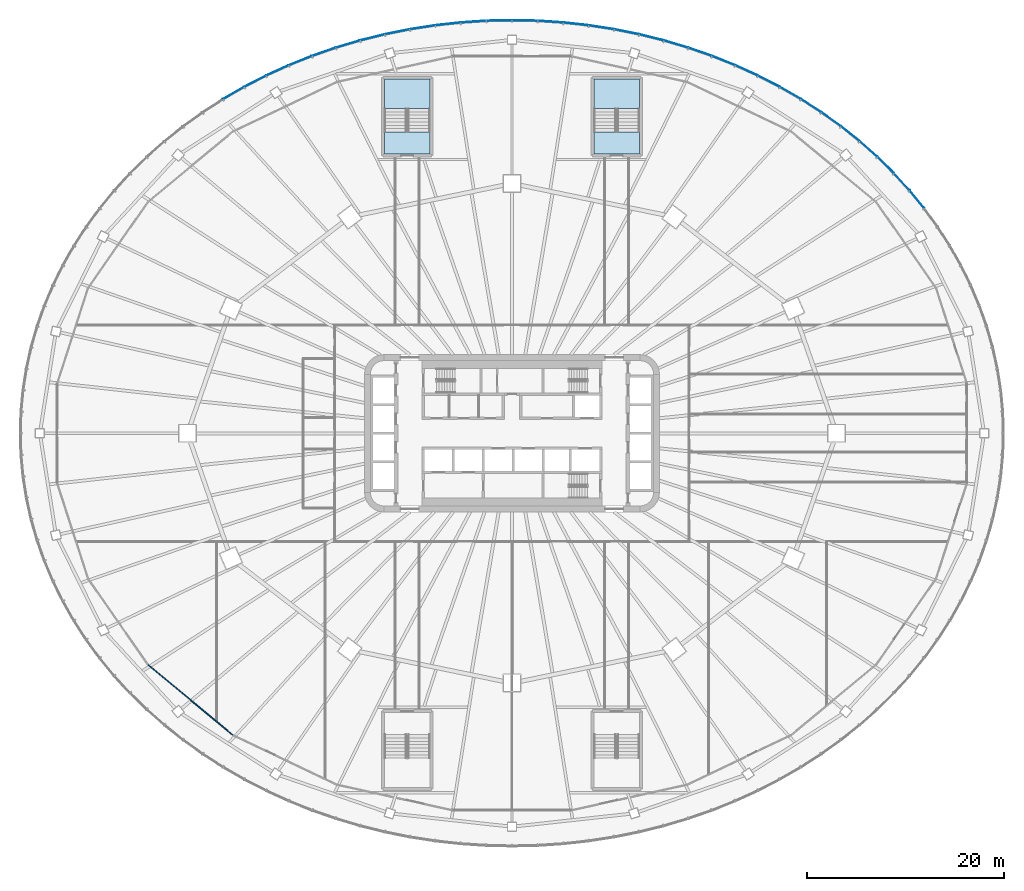
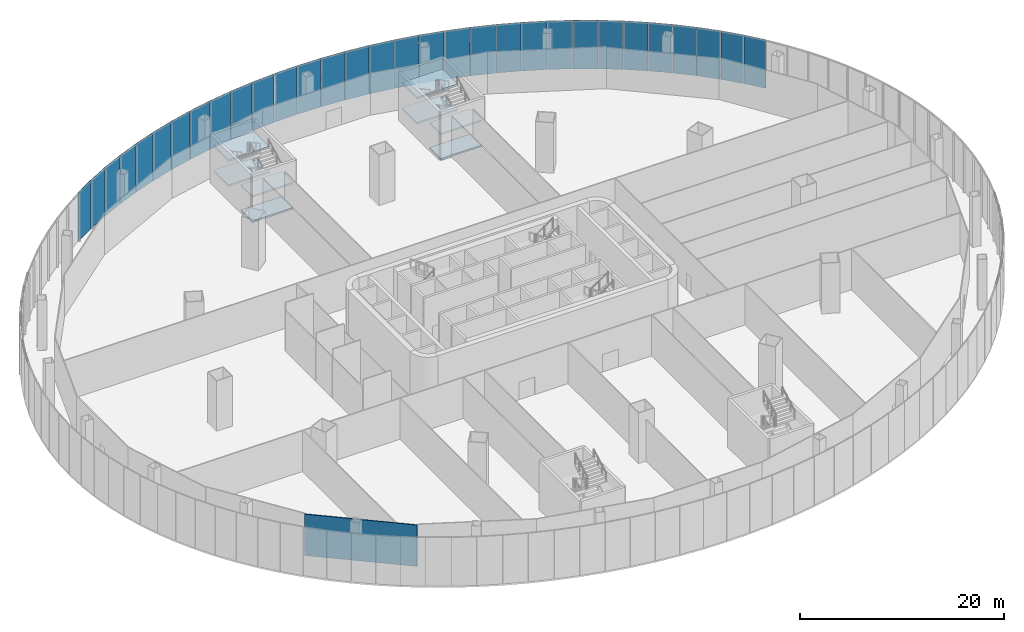
# One storey, part 19 of 37: 31 plates, 8 slabs, 1 wall, 9 elements without a shape of their own.
"""IFC4 building model written with IfcOpenShell, lengths in metres."""

from ifc_helpers import new_model, si_unit, direction, frame, frame_2d, origin, place, context, subcontext, project, spatial, polyline, rectangle, outline, extrude, material, layer, layer_set, type_object, element, aggregate, save


model = new_model("IFC4")

# Units and contexts
model_context = context("Model", 3, precision=1e-05, world=origin(), true_north=direction((0.0, 1.0)))
body_context = subcontext(model_context, "Body", "Model", "MODEL_VIEW")
ifc_project = project(units=[si_unit("LENGTHUNIT", "METRE"), si_unit("AREAUNIT", "SQUARE_METRE"), si_unit("VOLUMEUNIT", "CUBIC_METRE"), si_unit("PLANEANGLEUNIT", "RADIAN"), si_unit("MASSUNIT", "GRAM", prefix="KILO")], contexts=[model_context])

# Site, building, storey
site_placement = place(None, origin())
site = spatial("IfcSite", under=ifc_project, at=site_placement, CompositionType="ELEMENT")
building_placement = place(site_placement, origin())
building = spatial("IfcBuilding", under=site, at=building_placement, Name="Sahrelin Media Tower", CompositionType="ELEMENT")
storey_placement = place(building_placement, frame((0.0, 0.0, 31.39990234375)))
storey = spatial("IfcBuildingStorey", under=building, at=storey_placement, Name="L04", CompositionType="ELEMENT", Elevation=31.39990234375)

# Curtain wall, plates
ifc_material_1 = material(Name="Champagne anodised aluminium 6063-T6", Category="aluminium")
ifc_layer_1 = layer(ifc_material_1, 0.14990234375)
ifc_layer_set_1 = layer_set([ifc_layer_1], Name="Podium ribbon curtain wall")
curtain_wall_type = type_object("IfcCurtainWallType", Name="Podium ribbon curtain wall", PredefinedType="NOTDEFINED", material=ifc_layer_set_1)
curtain_wall_1_placement = place(storey_placement, frame((43.30126953125, 21.0, 0.0), z_axis=(0.0, 0.0, 1.0), x_axis=(1.0, 0.0, 0.0)))
curtain_wall_1 = element("IfcCurtainWall", 1, at=curtain_wall_1_placement, inside=storey, type_object=curtain_wall_type, Name="L04:CW:L04-P02", PredefinedType="NOTDEFINED")
ifc_material_2 = material(Name="Clear low-iron glazing", Category="glass")
ifc_layer_2 = layer(ifc_material_2, 0.050048828125)
ifc_layer_set_2 = layer_set([ifc_layer_2], Name="Glazing panel 50 mm CW5")
plate_type = type_object("IfcPlateType", Name="Glazing panel 50 mm CW5", PredefinedType="CURTAIN_PANEL", material=ifc_layer_set_2)
plate_1_placement = place(storey_placement, frame((41.917236328125, 22.92626953125, 0.0), z_axis=(0.773971540698, 0.633220383586, 0.0), x_axis=(-0.633220383586, 0.773971540698, 0.0)))
plate_1 = element("IfcPlate", 2, at=plate_1_placement, type_object=plate_type, Name="L04:CWP2a:L04-P02", PredefinedType="CURTAIN_PANEL", context=body_context, shape_type="SweptSolid", body=[
    extrude(outline(polyline([(0.0, 0.0), (2.291259765625, 0.0), (2.291259765625, 5.800048828125), (0.0, 5.800048828125), (0.0, 0.0)])), origin(), (0.0, 0.0, -1.0), 0.050048828125),
])
plate_2_placement = place(storey_placement, frame((40.431884765625, 24.7373046875, 0.0), z_axis=(0.738366649953, 0.674399503438, 0.0), x_axis=(-0.674399503438, 0.738366649953, 0.0)))
plate_2 = element("IfcPlate", 3, at=plate_2_placement, type_object=plate_type, Name="L04:CWP3a:L04-P02", PredefinedType="CURTAIN_PANEL", context=body_context, shape_type="SweptSolid", body=[
    extrude(outline(polyline([(0.0, 0.0), (2.31298828125, 0.0), (2.31298828125, 5.800048828125), (0.0, 5.800048828125), (0.0, 0.0)])), origin(), (0.0, 0.0, -1.0), 0.050048828125),
])
plate_3_placement = place(storey_placement, frame((38.835693359375, 26.480712890625, 0.0), z_axis=(0.701226778189, 0.712938290142, 0.0), x_axis=(-0.712938290142, 0.701226778189, 0.0)))
plate_3 = element("IfcPlate", 4, at=plate_3_placement, type_object=plate_type, Name="L04:CWP4a:L04-P02", PredefinedType="CURTAIN_PANEL", context=body_context, shape_type="SweptSolid", body=[
    extrude(outline(polyline([(0.0, 0.0), (2.334716796875, 0.0), (2.334716796875, 5.800048828125), (0.0, 5.800048828125), (0.0, 0.0)])), origin(), (0.0, 0.0, -1.0), 0.050048828125),
])
plate_4_placement = place(storey_placement, frame((37.133056640625, 28.151611328125, 0.0), z_axis=(0.662799646717, 0.74879678706, 0.0), x_axis=(-0.74879678706, 0.662799646717, 0.0)))
plate_4 = element("IfcPlate", 5, at=plate_4_placement, type_object=plate_type, Name="L04:CWP5a:L04-P02", PredefinedType="CURTAIN_PANEL", context=body_context, shape_type="SweptSolid", body=[
    extrude(outline(polyline([(0.0, 0.0), (2.356201171875, 0.0), (2.356201171875, 5.800048828125), (0.0, 5.800048828125), (0.0, 0.0)])), origin(), (0.0, 0.0, -1.0), 0.050048828125),
])
aggregate(curtain_wall_1, [plate_1, plate_2, plate_3, plate_4])

curtain_wall_2_placement = place(storey_placement, frame((35.355224609375, 29.698486328125, 0.0), z_axis=(0.0, 0.0, 1.0), x_axis=(1.0, 0.0, 0.0)))
curtain_wall_2 = element("IfcCurtainWall", 6, at=curtain_wall_2_placement, inside=storey, type_object=curtain_wall_type, Name="L04:CW:L04-P03", PredefinedType="NOTDEFINED")
plate_5_placement = place(storey_placement, frame((35.32861328125, 29.745361328125, 0.0), z_axis=(0.62334202437, 0.781949308238, 0.0), x_axis=(-0.781949308238, 0.62334202437, 0.0)))
plate_5 = element("IfcPlate", 7, at=plate_5_placement, type_object=plate_type, Name="L04:CWP1a:L04-P03", PredefinedType="CURTAIN_PANEL", context=body_context, shape_type="SweptSolid", body=[
    extrude(outline(polyline([(0.0, 0.0), (2.378173828125, 0.0), (2.378173828125, 5.800048828125), (0.0, 5.800048828125), (0.0, 0.0)])), origin(), (0.0, 0.0, -1.0), 0.050048828125),
])
plate_6_placement = place(storey_placement, frame((33.427490234375, 31.257568359375, 0.0), z_axis=(0.582969203384, 0.812494250999, 0.0), x_axis=(-0.812494250999, 0.582969203384, 0.0)))
plate_6 = element("IfcPlate", 8, at=plate_6_placement, type_object=plate_type, Name="L04:CWP2a:L04-P03", PredefinedType="CURTAIN_PANEL", context=body_context, shape_type="SweptSolid", body=[
    extrude(outline(polyline([(0.0, 0.0), (2.399658203125, 0.0), (2.399658203125, 5.800048828125), (0.0, 5.800048828125), (0.0, 0.0)])), origin(), (0.0, 0.0, -1.0), 0.050048828125),
])
plate_7_placement = place(storey_placement, frame((31.434814453125, 32.68408203125, 0.0), z_axis=(0.541786842033, 0.840515923585, 0.0), x_axis=(-0.840515923585, 0.541786842033, 0.0)))
plate_7 = element("IfcPlate", 9, at=plate_7_placement, type_object=plate_type, Name="L04:CWP3a:L04-P03", PredefinedType="CURTAIN_PANEL", context=body_context, shape_type="SweptSolid", body=[
    extrude(outline(polyline([(0.0, 0.0), (2.420654296875, 0.0), (2.420654296875, 5.800048828125), (0.0, 5.800048828125), (0.0, 0.0)])), origin(), (0.0, 0.0, -1.0), 0.050048828125),
])
plate_8_placement = place(storey_placement, frame((29.35595703125, 34.02099609375, 0.0), z_axis=(0.499979298005, 0.866037355757, 0.0), x_axis=(-0.866037355757, 0.499979298005, 0.0)))
plate_8 = element("IfcPlate", 10, at=plate_8_placement, type_object=plate_type, Name="L04:CWP4a:L04-P03", PredefinedType="CURTAIN_PANEL", context=body_context, shape_type="SweptSolid", body=[
    extrude(outline(polyline([(0.0, 0.0), (2.44091796875, 0.0), (2.44091796875, 5.800048828125), (0.0, 5.800048828125), (0.0, 0.0)])), origin(), (0.0, 0.0, -1.0), 0.050048828125),
])
plate_9_placement = place(storey_placement, frame((27.19677734375, 35.264892578125, 0.0), z_axis=(0.457661890487, 0.88912630936, 0.0), x_axis=(-0.88912630936, 0.457661890487, 0.0)))
plate_9 = element("IfcPlate", 11, at=plate_9_placement, type_object=plate_type, Name="L04:CWP5a:L04-P03", PredefinedType="CURTAIN_PANEL", context=body_context, shape_type="SweptSolid", body=[
    extrude(outline(polyline([(0.0, 0.0), (2.460205078125, 0.0), (2.460205078125, 5.800048828125), (0.0, 5.800048828125), (0.0, 0.0)])), origin(), (0.0, 0.0, -1.0), 0.050048828125),
])
aggregate(curtain_wall_2, [plate_5, plate_6, plate_7, plate_8, plate_9])

curtain_wall_3_placement = place(storey_placement, frame((25.0, 36.373046875, 0.0), z_axis=(0.0, 0.0, 1.0), x_axis=(1.0, 0.0, 0.0)))
curtain_wall_3 = element("IfcCurtainWall", 12, at=curtain_wall_3_placement, inside=storey, type_object=curtain_wall_type, Name="L04:CW:L04-P04", PredefinedType="NOTDEFINED")
plate_10_placement = place(storey_placement, frame((24.962890625, 36.412109375, 0.0), z_axis=(0.414893598906, 0.909869936632, 0.0), x_axis=(-0.909869936632, 0.414893598906, 0.0)))
plate_10 = element("IfcPlate", 13, at=plate_10_placement, type_object=plate_type, Name="L04:CWP1a:L04-P04", PredefinedType="CURTAIN_PANEL", context=body_context, shape_type="SweptSolid", body=[
    extrude(outline(polyline([(0.0, 0.0), (2.478515625, 0.0), (2.478515625, 5.800048828125), (0.0, 5.800048828125), (0.0, 0.0)])), origin(), (0.0, 0.0, -1.0), 0.050048828125),
])
plate_11_placement = place(storey_placement, frame((22.660400390625, 37.45947265625, 0.0), z_axis=(0.371913588766, 0.928267355071, 0.0), x_axis=(-0.928267355071, 0.371913588766, 0.0)))
plate_11 = element("IfcPlate", 14, at=plate_11_placement, type_object=plate_type, Name="L04:CWP2a:L04-P04", PredefinedType="CURTAIN_PANEL", context=body_context, shape_type="SweptSolid", body=[
    extrude(outline(polyline([(0.0, 0.0), (2.4951171875, 0.0), (2.4951171875, 5.800048828125), (0.0, 5.800048828125), (0.0, 0.0)])), origin(), (0.0, 0.0, -1.0), 0.050048828125),
])
plate_12_placement = place(storey_placement, frame((20.296142578125, 38.404296875, 0.0), z_axis=(0.328599832248, 0.944469242615, 0.0), x_axis=(-0.944469242615, 0.328599832248, 0.0)))
plate_12 = element("IfcPlate", 15, at=plate_12_placement, type_object=plate_type, Name="L04:CWP3a:L04-P04", PredefinedType="CURTAIN_PANEL", context=body_context, shape_type="SweptSolid", body=[
    extrude(outline(polyline([(0.0, 0.0), (2.510498046875, 0.0), (2.510498046875, 5.800048828125), (0.0, 5.800048828125), (0.0, 0.0)])), origin(), (0.0, 0.0, -1.0), 0.050048828125),
])
plate_13_placement = place(storey_placement, frame((17.876220703125, 39.243896484375, 0.0), z_axis=(0.285102349758, 0.958497078849, 0.0), x_axis=(-0.958497078849, 0.285102349758, 0.0)))
plate_13 = element("IfcPlate", 16, at=plate_13_placement, type_object=plate_type, Name="L04:CWP4a:L04-P04", PredefinedType="CURTAIN_PANEL", context=body_context, shape_type="SweptSolid", body=[
    extrude(outline(polyline([(0.0, 0.0), (2.5244140625, 0.0), (2.5244140625, 5.800048828125), (0.0, 5.800048828125), (0.0, 0.0)])), origin(), (0.0, 0.0, -1.0), 0.050048828125),
])
plate_14_placement = place(storey_placement, frame((15.406982421875, 39.975830078125, 0.0), z_axis=(0.241516267963, 0.970396770558, 0.0), x_axis=(-0.970396770558, 0.241516267963, 0.0)))
plate_14 = element("IfcPlate", 17, at=plate_14_placement, type_object=plate_type, Name="L04:CWP5a:L04-P04", PredefinedType="CURTAIN_PANEL", context=body_context, shape_type="SweptSolid", body=[
    extrude(outline(polyline([(0.0, 0.0), (2.536376953125, 0.0), (2.536376953125, 5.800048828125), (0.0, 5.800048828125), (0.0, 0.0)])), origin(), (0.0, 0.0, -1.0), 0.050048828125),
])
aggregate(curtain_wall_3, [plate_10, plate_11, plate_12, plate_13, plate_14])

curtain_wall_4_placement = place(storey_placement, frame((12.94091796875, 40.56884765625, 0.0), z_axis=(0.0, 0.0, 1.0), x_axis=(1.0, 0.0, 0.0)))
curtain_wall_4 = element("IfcCurtainWall", 18, at=curtain_wall_4_placement, inside=storey, type_object=curtain_wall_type, Name="L04:CW:L04-P05", PredefinedType="NOTDEFINED")
plate_15_placement = place(storey_placement, frame((12.89599609375, 40.598388671875, 0.0), z_axis=(0.197682982877, 0.980266003838, 0.0), x_axis=(-0.980266003838, 0.197682982877, 0.0)))
plate_15 = element("IfcPlate", 19, at=plate_15_placement, type_object=plate_type, Name="L04:CWP1a:L04-P05", PredefinedType="CURTAIN_PANEL", context=body_context, shape_type="SweptSolid", body=[
    extrude(outline(polyline([(0.0, 0.0), (2.546630859375, 0.0), (2.546630859375, 5.800048828125), (0.0, 5.800048828125), (0.0, 0.0)])), origin(), (0.0, 0.0, -1.0), 0.050048828125),
])
plate_16_placement = place(storey_placement, frame((10.349365234375, 41.109619140625, 0.0), z_axis=(0.153837616307, 0.988096142999, 0.0), x_axis=(-0.988096142999, 0.153837616307, 0.0)))
plate_16 = element("IfcPlate", 20, at=plate_16_placement, type_object=plate_type, Name="L04:CWP2a:L04-P05", PredefinedType="CURTAIN_PANEL", context=body_context, shape_type="SweptSolid", body=[
    extrude(outline(polyline([(0.0, 0.0), (2.55517578125, 0.0), (2.55517578125, 5.800048828125), (0.0, 5.800048828125), (0.0, 0.0)])), origin(), (0.0, 0.0, -1.0), 0.050048828125),
])
plate_17_placement = place(storey_placement, frame((7.774169921875, 41.50830078125, 0.0), z_axis=(0.109908392122, 0.9939417213, 0.0), x_axis=(-0.9939417213, 0.109908392122, 0.0)))
plate_17 = element("IfcPlate", 21, at=plate_17_placement, type_object=plate_type, Name="L04:CWP3a:L04-P05", PredefinedType="CURTAIN_PANEL", context=body_context, shape_type="SweptSolid", body=[
    extrude(outline(polyline([(0.0, 0.0), (2.561279296875, 0.0), (2.561279296875, 5.800048828125), (0.0, 5.800048828125), (0.0, 0.0)])), origin(), (0.0, 0.0, -1.0), 0.050048828125),
])
plate_18_placement = place(storey_placement, frame((5.177734375, 41.793212890625, 0.0), z_axis=(0.065956789275, 0.997822480178, 0.0), x_axis=(-0.997822480178, 0.065956789275, 0.0)))
plate_18 = element("IfcPlate", 22, at=plate_18_placement, type_object=plate_type, Name="L04:CWP4a:L04-P05", PredefinedType="CURTAIN_PANEL", context=body_context, shape_type="SweptSolid", body=[
    extrude(outline(polyline([(0.0, 0.0), (2.565185546875, 0.0), (2.565185546875, 5.800048828125), (0.0, 5.800048828125), (0.0, 0.0)])), origin(), (0.0, 0.0, -1.0), 0.050048828125),
])
plate_19_placement = place(storey_placement, frame((2.5673828125, 41.96337890625, 0.0), z_axis=(0.022060447041, 0.999756638726, 0.0), x_axis=(-0.999756638726, 0.022060447041, 0.0)))
plate_19 = element("IfcPlate", 23, at=plate_19_placement, type_object=plate_type, Name="L04:CWP5a:L04-P05", PredefinedType="CURTAIN_PANEL", context=body_context, shape_type="SweptSolid", body=[
    extrude(outline(polyline([(0.0, 0.0), (2.567626953125, 0.0), (2.567626953125, 5.800048828125), (0.0, 5.800048828125), (0.0, 0.0)])), origin(), (0.0, 0.0, -1.0), 0.050048828125),
])
aggregate(curtain_wall_4, [plate_15, plate_16, plate_17, plate_18, plate_19])

curtain_wall_5_placement = place(storey_placement, frame((0.0, 42.0, 0.0), z_axis=(0.0, 0.0, 1.0), x_axis=(1.0, 0.0, 0.0)))
curtain_wall_5 = element("IfcCurtainWall", 24, at=curtain_wall_5_placement, inside=storey, type_object=curtain_wall_type, Name="L04:CW:L04-P06", PredefinedType="NOTDEFINED")
plate_20_placement = place(storey_placement, frame((-0.05029296875, 42.018798828125, 0.0), z_axis=(-0.021965404884, 0.999758731389, 0.0), x_axis=(-0.999758731389, -0.021965404884, 0.0)))
plate_20 = element("IfcPlate", 25, at=plate_20_placement, type_object=plate_type, Name="L04:CWP1a:L04-P06", PredefinedType="CURTAIN_PANEL", context=body_context, shape_type="SweptSolid", body=[
    extrude(outline(polyline([(0.0, 0.0), (2.567626953125, 0.0), (2.567626953125, 5.800048828125), (0.0, 5.800048828125), (0.0, 0.0)])), origin(), (0.0, 0.0, -1.0), 0.050048828125),
])
plate_21_placement = place(storey_placement, frame((-2.66796875, 41.958984375, 0.0), z_axis=(-0.065950526052, 0.997822894162, 0.0), x_axis=(-0.997822894162, -0.065950526052, 0.0)))
plate_21 = element("IfcPlate", 26, at=plate_21_placement, type_object=plate_type, Name="L04:CWP2a:L04-P06", PredefinedType="CURTAIN_PANEL", context=body_context, shape_type="SweptSolid", body=[
    extrude(outline(polyline([(0.0, 0.0), (2.5654296875, 0.0), (2.5654296875, 5.800048828125), (0.0, 5.800048828125), (0.0, 0.0)])), origin(), (0.0, 0.0, -1.0), 0.050048828125),
])
plate_22_placement = place(storey_placement, frame((-5.2783203125, 41.7841796875, 0.0), z_axis=(-0.109908392122, 0.9939417213, 0.0), x_axis=(-0.9939417213, -0.109908392122, 0.0)))
plate_22 = element("IfcPlate", 27, at=plate_22_placement, type_object=plate_type, Name="L04:CWP3a:L04-P06", PredefinedType="CURTAIN_PANEL", context=body_context, shape_type="SweptSolid", body=[
    extrude(outline(polyline([(0.0, 0.0), (2.561279296875, 0.0), (2.561279296875, 5.800048828125), (0.0, 5.800048828125), (0.0, 0.0)])), origin(), (0.0, 0.0, -1.0), 0.050048828125),
])
plate_23_placement = place(storey_placement, frame((-7.874267578125, 41.4951171875, 0.0), z_axis=(-0.153852142069, 0.98809388136, 0.0), x_axis=(-0.98809388136, -0.153852142069, 0.0)))
plate_23 = element("IfcPlate", 28, at=plate_23_placement, type_object=plate_type, Name="L04:CWP4a:L04-P06", PredefinedType="CURTAIN_PANEL", context=body_context, shape_type="SweptSolid", body=[
    extrude(outline(polyline([(0.0, 0.0), (2.554931640625, 0.0), (2.554931640625, 5.800048828125), (0.0, 5.800048828125), (0.0, 0.0)])), origin(), (0.0, 0.0, -1.0), 0.050048828125),
])
plate_24_placement = place(storey_placement, frame((-10.448486328125, 41.091796875, 0.0), z_axis=(-0.197664406805, 0.980269749754, 0.0), x_axis=(-0.980269749754, -0.197664406805, 0.0)))
plate_24 = element("IfcPlate", 29, at=plate_24_placement, type_object=plate_type, Name="L04:CWP5a:L04-P06", PredefinedType="CURTAIN_PANEL", context=body_context, shape_type="SweptSolid", body=[
    extrude(outline(polyline([(0.0, 0.0), (2.546875, 0.0), (2.546875, 5.800048828125), (0.0, 5.800048828125), (0.0, 0.0)])), origin(), (0.0, 0.0, -1.0), 0.050048828125),
])
aggregate(curtain_wall_5, [plate_20, plate_21, plate_22, plate_23, plate_24])

curtain_wall_6_placement = place(storey_placement, frame((-12.94091796875, 40.56884765625, 0.0), z_axis=(0.0, 0.0, 1.0), x_axis=(1.0, 0.0, 0.0)))
curtain_wall_6 = element("IfcCurtainWall", 30, at=curtain_wall_6_placement, inside=storey, type_object=curtain_wall_type, Name="L04:CW:L04-P07", PredefinedType="NOTDEFINED")
plate_25_placement = place(storey_placement, frame((-12.994384765625, 40.576171875, 0.0), z_axis=(-0.241425619685, 0.970419326971, 0.0), x_axis=(-0.970419326971, -0.241425619685, 0.0)))
plate_25 = element("IfcPlate", 31, at=plate_25_placement, type_object=plate_type, Name="L04:CWP1a:L04-P07", PredefinedType="CURTAIN_PANEL", context=body_context, shape_type="SweptSolid", body=[
    extrude(outline(polyline([(0.0, 0.0), (2.5361328125, 0.0), (2.5361328125, 5.800048828125), (0.0, 5.800048828125), (0.0, 0.0)])), origin(), (0.0, 0.0, -1.0), 0.050048828125),
])
plate_26_placement = place(storey_placement, frame((-15.50439453125, 39.94921875, 0.0), z_axis=(-0.285102349758, 0.958497078849, 0.0), x_axis=(-0.958497078849, -0.285102349758, 0.0)))
plate_26 = element("IfcPlate", 32, at=plate_26_placement, type_object=plate_type, Name="L04:CWP2a:L04-P07", PredefinedType="CURTAIN_PANEL", context=body_context, shape_type="SweptSolid", body=[
    extrude(outline(polyline([(0.0, 0.0), (2.5244140625, 0.0), (2.5244140625, 5.800048828125), (0.0, 5.800048828125), (0.0, 0.0)])), origin(), (0.0, 0.0, -1.0), 0.050048828125),
])
plate_27_placement = place(storey_placement, frame((-17.97216796875, 39.212890625, 0.0), z_axis=(-0.328656390674, 0.944449562904, 0.0), x_axis=(-0.944449562904, -0.328656390674, 0.0)))
plate_27 = element("IfcPlate", 33, at=plate_27_placement, type_object=plate_type, Name="L04:CWP3a:L04-P07", PredefinedType="CURTAIN_PANEL", context=body_context, shape_type="SweptSolid", body=[
    extrude(outline(polyline([(0.0, 0.0), (2.5107421875, 0.0), (2.5107421875, 5.800048828125), (0.0, 5.800048828125), (0.0, 0.0)])), origin(), (0.0, 0.0, -1.0), 0.050048828125),
])
plate_28_placement = place(storey_placement, frame((-20.390625, 38.368896484375, 0.0), z_axis=(-0.371913588766, 0.928267355071, 0.0), x_axis=(-0.928267355071, -0.371913588766, 0.0)))
plate_28 = element("IfcPlate", 34, at=plate_28_placement, type_object=plate_type, Name="L04:CWP4a:L04-P07", PredefinedType="CURTAIN_PANEL", context=body_context, shape_type="SweptSolid", body=[
    extrude(outline(polyline([(0.0, 0.0), (2.4951171875, 0.0), (2.4951171875, 5.800048828125), (0.0, 5.800048828125), (0.0, 0.0)])), origin(), (0.0, 0.0, -1.0), 0.050048828125),
])
plate_29_placement = place(storey_placement, frame((-22.75341796875, 37.419677734375, 0.0), z_axis=(-0.414930786604, 0.909852978413, 0.0), x_axis=(-0.909852978413, -0.414930786604, 0.0)))
plate_29 = element("IfcPlate", 35, at=plate_29_placement, type_object=plate_type, Name="L04:CWP5a:L04-P07", PredefinedType="CURTAIN_PANEL", context=body_context, shape_type="SweptSolid", body=[
    extrude(outline(polyline([(0.0, 0.0), (2.478271484375, 0.0), (2.478271484375, 5.800048828125), (0.0, 5.800048828125), (0.0, 0.0)])), origin(), (0.0, 0.0, -1.0), 0.050048828125),
])
aggregate(curtain_wall_6, [plate_25, plate_26, plate_27, plate_28, plate_29])

curtain_wall_7_placement = place(storey_placement, frame((-25.0, 36.373046875, 0.0), z_axis=(0.0, 0.0, 1.0), x_axis=(1.0, 0.0, 0.0)))
curtain_wall_7 = element("IfcCurtainWall", 36, at=curtain_wall_7_placement, inside=storey, type_object=curtain_wall_type, Name="L04:CW:L04-P08", PredefinedType="NOTDEFINED")
plate_30_placement = place(storey_placement, frame((-25.0537109375, 36.367919921875, 0.0), z_axis=(-0.457661890487, 0.88912630936, 0.0), x_axis=(-0.88912630936, -0.457661890487, 0.0)))
plate_30 = element("IfcPlate", 37, at=plate_30_placement, type_object=plate_type, Name="L04:CWP1a:L04-P08", PredefinedType="CURTAIN_PANEL", context=body_context, shape_type="SweptSolid", body=[
    extrude(outline(polyline([(0.0, 0.0), (2.460205078125, 0.0), (2.460205078125, 5.800048828125), (0.0, 5.800048828125), (0.0, 0.0)])), origin(), (0.0, 0.0, -1.0), 0.050048828125),
])
plate_31_placement = place(storey_placement, frame((-27.285400390625, 35.216552734375, 0.0), z_axis=(-0.499979298005, 0.866037355757, 0.0), x_axis=(-0.866037355757, -0.499979298005, 0.0)))
plate_31 = element("IfcPlate", 38, at=plate_31_placement, type_object=plate_type, Name="L04:CWP2a:L04-P08", PredefinedType="CURTAIN_PANEL", context=body_context, shape_type="SweptSolid", body=[
    extrude(outline(polyline([(0.0, 0.0), (2.44091796875, 0.0), (2.44091796875, 5.800048828125), (0.0, 5.800048828125), (0.0, 0.0)])), origin(), (0.0, 0.0, -1.0), 0.050048828125),
])
aggregate(curtain_wall_7, [plate_30, plate_31])

# Stair, slabs
ifc_material_3 = material(Name="Concrete C40/50", Category="concrete")
stair_type = type_object("IfcStairType", Name="Podium stair 2225", PredefinedType="HALF_TURN_STAIR", material=ifc_material_3)
placement_1 = place(storey_placement, origin())
stair_1 = element("IfcStair", 39, at=placement_1, inside=storey, type_object=stair_type, Name="L04 Podium stair PS1", PredefinedType="HALF_TURN_STAIR")
ifc_layer_3 = layer(ifc_material_3, 0.199951171875)
ifc_layer_set_3 = layer_set([ifc_layer_3], Name="Stair landing 200")
slab_type = type_object("IfcSlabType", Name="Stair landing 200", PredefinedType="LANDING", material=ifc_layer_set_3)
placement_2 = place(storey_placement, frame((0.0, 0.0, 1.300048828125)))
slab_1 = element("IfcSlab", 40, at=placement_2, type_object=slab_type, Name="PS1 landing 1", PredefinedType="LANDING", context=body_context, shape_type="SweptSolid", body=[
    extrude(outline(polyline([(12.949951171875, 33.02490234375), (12.949951171875, 36.0), (8.35009765625, 36.0), (8.35009765625, 33.02490234375), (12.949951171875, 33.02490234375)])), origin(), (0.0, 0.0, 1.0), 0.199951171875),
])
placement_3 = place(storey_placement, frame((0.0, 0.0, 2.800048828125)))
slab_2 = element("IfcSlab", 41, at=placement_3, type_object=slab_type, Name="PS1 landing 2", PredefinedType="LANDING", context=body_context, shape_type="SweptSolid", body=[
    extrude(outline(polyline([(12.949951171875, 28.39990234375), (12.949951171875, 30.625), (8.35009765625, 30.625), (8.35009765625, 28.39990234375), (12.949951171875, 28.39990234375)])), origin(), (0.0, 0.0, 1.0), 0.199951171875),
])
placement_4 = place(storey_placement, frame((0.0, 0.0, 4.300048828125)))
slab_3 = element("IfcSlab", 42, at=placement_4, type_object=slab_type, Name="PS1 landing 3", PredefinedType="LANDING", context=body_context, shape_type="SweptSolid", body=[
    extrude(outline(polyline([(12.949951171875, 33.02490234375), (12.949951171875, 36.0), (8.35009765625, 36.0), (8.35009765625, 33.02490234375), (12.949951171875, 33.02490234375)])), origin(), (0.0, 0.0, 1.0), 0.199951171875),
])
placement_5 = place(storey_placement, frame((0.0, 0.0, -0.199951171875)))
slab_4 = element("IfcSlab", 43, at=placement_5, type_object=slab_type, Name="PS1 landing 4", PredefinedType="LANDING", context=body_context, shape_type="SweptSolid", body=[
    extrude(outline(polyline([(12.949951171875, 28.39990234375), (12.949951171875, 30.625), (8.35009765625, 30.625), (8.35009765625, 28.39990234375), (12.949951171875, 28.39990234375)])), origin(), (0.0, 0.0, 1.0), 0.199951171875),
])
aggregate(stair_1, [slab_1, slab_2, slab_3, slab_4])

stair_2 = element("IfcStair", 44, at=placement_1, inside=storey, type_object=stair_type, Name="L04 Podium stair PS2", PredefinedType="HALF_TURN_STAIR")
slab_5 = element("IfcSlab", 45, at=placement_2, type_object=slab_type, Name="PS2 landing 1", PredefinedType="LANDING", context=body_context, shape_type="SweptSolid", body=[
    extrude(outline(polyline([(-8.35009765625, 33.02490234375), (-8.35009765625, 36.0), (-12.949951171875, 36.0), (-12.949951171875, 33.02490234375), (-8.35009765625, 33.02490234375)])), origin(), (0.0, 0.0, 1.0), 0.199951171875),
])
slab_6 = element("IfcSlab", 46, at=placement_3, type_object=slab_type, Name="PS2 landing 2", PredefinedType="LANDING", context=body_context, shape_type="SweptSolid", body=[
    extrude(outline(polyline([(-8.35009765625, 28.39990234375), (-8.35009765625, 30.625), (-12.949951171875, 30.625), (-12.949951171875, 28.39990234375), (-8.35009765625, 28.39990234375)])), origin(), (0.0, 0.0, 1.0), 0.199951171875),
])
slab_7 = element("IfcSlab", 47, at=placement_4, type_object=slab_type, Name="PS2 landing 3", PredefinedType="LANDING", context=body_context, shape_type="SweptSolid", body=[
    extrude(outline(polyline([(-8.35009765625, 33.02490234375), (-8.35009765625, 36.0), (-12.949951171875, 36.0), (-12.949951171875, 33.02490234375), (-8.35009765625, 33.02490234375)])), origin(), (0.0, 0.0, 1.0), 0.199951171875),
])
slab_8 = element("IfcSlab", 48, at=placement_5, type_object=slab_type, Name="PS2 landing 4", PredefinedType="LANDING", context=body_context, shape_type="SweptSolid", body=[
    extrude(outline(polyline([(-8.35009765625, 28.39990234375), (-8.35009765625, 30.625), (-12.949951171875, 30.625), (-12.949951171875, 28.39990234375), (-8.35009765625, 28.39990234375)])), origin(), (0.0, 0.0, 1.0), 0.199951171875),
])
aggregate(stair_2, [slab_5, slab_6, slab_7, slab_8])

# Wall
ifc_material_4 = material(Name="Gypsum board partition")
ifc_layer_4 = layer(ifc_material_4, 0.10009765625)
ifc_layer_set_4 = layer_set([ifc_layer_4], Name="Partition 100")
wall_type = type_object("IfcWallType", Name="Partition 100", PredefinedType="PARTITIONING", material=ifc_layer_set_4)
wall_placement = place(storey_placement, frame((-37.010009765625, -23.528564453125, 0.0), z_axis=(0.0, 0.0, 1.0), x_axis=(0.770046995363, -0.637987166746, 0.0)))
element("IfcWall", 49, at=wall_placement, inside=storey, type_object=wall_type, Name="Wall", PredefinedType="PARTITIONING", context=body_context, shape_type="SweptSolid", body=[
    extrude(rectangle(XDim=11.182861328125, YDim=0.10009765625, at=frame_2d((5.59130859375, 0.0))), origin(), (0.0, 0.0, 1.0), 4.945068359375),
])

save(model, "model.ifc")
